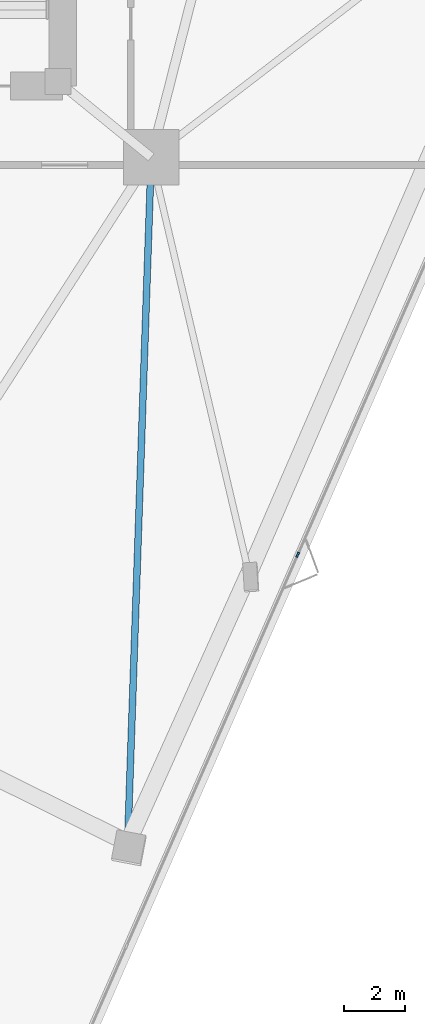
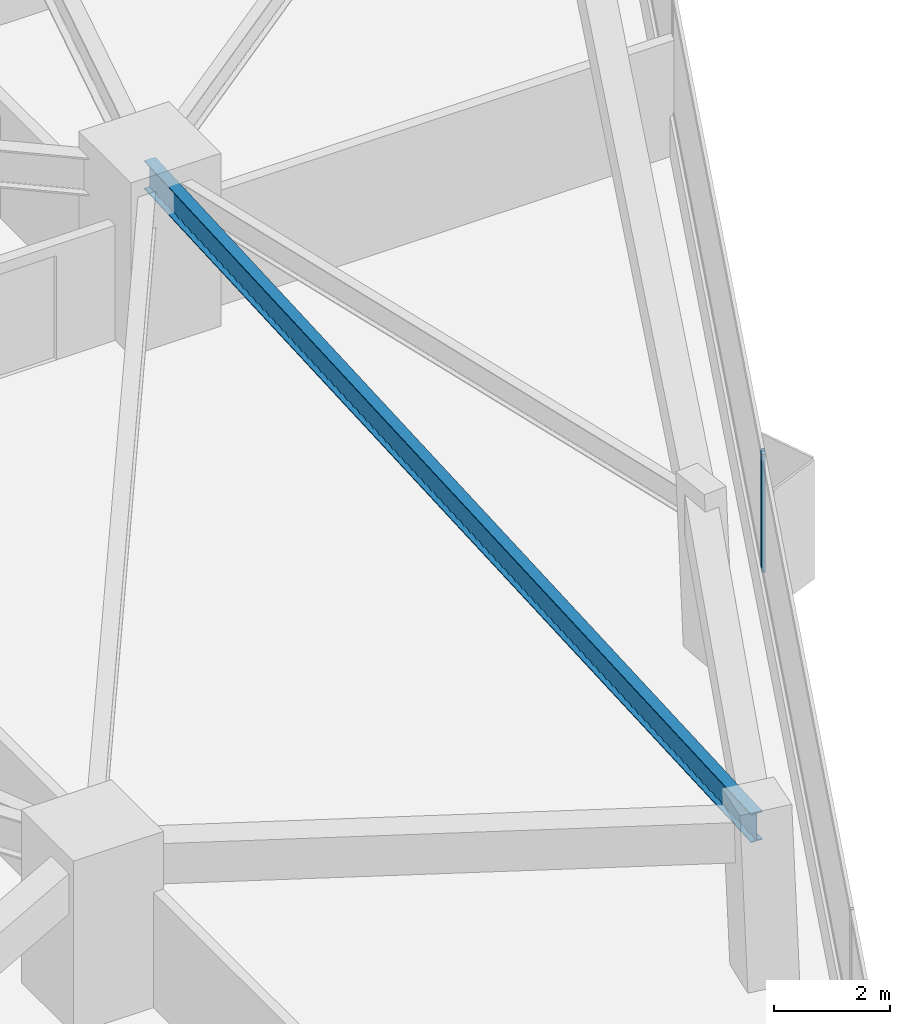
# One storey, part 5 of 20: 1 beam, 1 member, 1 element without a shape of its own.
"""IFC4 building model written with IfcOpenShell, lengths in metres."""

import ifcopenshell
import ifcopenshell.guid

model = None  # the IFC model being written
_history = None  # IfcOwnerHistory: only IFC2X3 demands one
_inside = {}  # id of a spatial element -> (the spatial element, [elements in it])
_under = {}  # id of a project, library or spatial element -> (it, [spatial elements below it])
_declared = {}  # id of a project -> (the project, [libraries it declares])
_typed = {}  # id of a type object -> (the type object, [elements of that type])
_made_of = {}  # id of a material, layer set ... -> (it, [elements and type objects made of it])


def new_model(schema):
    """Start an empty IFC model of exactly this schema.

    Asked for "IFC4X3", IfcOpenShell would pick the latest addendum, in which some entities
    have other attributes; the version numbers below select the first issue.
    IFC2X3 requires an IfcOwnerHistory on every rooted entity: one is made here for all.
    """
    global model, _history
    if schema == "IFC4X3":
        model = ifcopenshell.file(schema_version=(4, 3, 0, 0))
    else:
        model = ifcopenshell.file(schema=schema)
    _inside.clear()
    _under.clear()
    _declared.clear()
    _typed.clear()
    _made_of.clear()
    _history = None
    if model.schema == "IFC2X3":
        org = make("IfcOrganization", Name="unknown")
        user = make(
            "IfcPersonAndOrganization",
            ThePerson=make("IfcPerson", FamilyName="unknown"),
            TheOrganization=org,
        )
        app = make(
            "IfcApplication",
            ApplicationDeveloper=org,
            Version="unknown",
            ApplicationFullName="unknown",
            ApplicationIdentifier="unknown",
        )
        _history = make(
            "IfcOwnerHistory",
            OwningUser=user,
            OwningApplication=app,
            ChangeAction="ADDED",
            CreationDate=0,
        )
    return model


def make(cls, **values):
    """One entity of the class cls with the attributes given. An attribute that is None is left unset."""
    return model.create_entity(
        cls, **{name: value for name, value in values.items() if value is not None}
    )


def rooted(cls, **values):
    """An entity with a GlobalId (a new one), such as an element, a storey or a relation."""
    return make(cls, GlobalId=ifcopenshell.guid.new(), OwnerHistory=_history, **values)


def si_unit(unit_type, name, prefix=None):
    """IfcSIUnit, for example si_unit("LENGTHUNIT", "METRE", prefix="MILLI")."""
    return make("IfcSIUnit", UnitType=unit_type, Prefix=prefix, Name=name)


def assignment(units):
    """IfcUnitAssignment: the units of a project."""
    return None if units is None else make("IfcUnitAssignment", Units=units)


def point(xyz):
    """IfcCartesianPoint."""
    return None if xyz is None else make("IfcCartesianPoint", Coordinates=xyz)


def direction(xyz):
    """IfcDirection."""
    return None if xyz is None else make("IfcDirection", DirectionRatios=xyz)


def frame(location, z_axis=None, x_axis=None):
    """IfcAxis2Placement3D, a coordinate frame: its origin and axes. An axis left out is left unset."""
    return make(
        "IfcAxis2Placement3D",
        Location=point(location),
        Axis=direction(z_axis),
        RefDirection=direction(x_axis),
    )


def frame_2d(location, x_axis=None):
    """IfcAxis2Placement2D, a coordinate frame in the plane: its origin and x axis."""
    return make(
        "IfcAxis2Placement2D", Location=point(location), RefDirection=direction(x_axis)
    )


def origin():
    """The frame at (0, 0, 0) with its axes left unset."""
    return frame((0.0, 0.0, 0.0))


def origin_2d():
    """The frame at (0, 0) in the plane with its x axis left unset."""
    return frame_2d((0.0, 0.0))


def place(relative_to, where):
    """IfcLocalPlacement: puts the frame where relative to a parent placement (None: the world)."""
    return make(
        "IfcLocalPlacement", PlacementRelTo=relative_to, RelativePlacement=where
    )


def context(
    kind, dimensions, precision=None, world=None, true_north=None, identifier=None
):
    """IfcGeometricRepresentationContext, for example the 3D "Model" context."""
    return make(
        "IfcGeometricRepresentationContext",
        ContextIdentifier=identifier,
        ContextType=kind,
        CoordinateSpaceDimension=dimensions,
        Precision=precision,
        WorldCoordinateSystem=world,
        TrueNorth=true_north,
    )


def subcontext(parent, identifier, kind, view, scale=None):
    """IfcGeometricRepresentationSubContext, for example "Body" below "Model"."""
    return make(
        "IfcGeometricRepresentationSubContext",
        ContextIdentifier=identifier,
        ContextType=kind,
        ParentContext=parent,
        TargetScale=scale,
        TargetView=view,
    )


def project(units=None, contexts=None):
    """IfcProject with its units and contexts."""
    return rooted(
        "IfcProject",
        Name="project",
        RepresentationContexts=contexts,
        UnitsInContext=assignment(units),
    )


def spatial(cls, under=None, at=None, **own):
    """A site, building, storey or space (cls), placed at a placement, below another one or the project."""
    s = rooted(cls, ObjectPlacement=at, **own)
    if under is not None:
        _under.setdefault(under.id(), (under, []))[1].append(s)
    return s


def profile(cls, at=None, kind="AREA", **sizes):
    """A parametric profile (cls). Its sizes go by their IFC names, for example OverallWidth=200.0."""
    return make(cls, ProfileType=kind, Position=at, **sizes)


def rectangle(**sizes):
    """IfcRectangleProfileDef."""
    return profile("IfcRectangleProfileDef", **sizes)


def i_section(**sizes):
    """IfcIShapeProfileDef."""
    return profile("IfcIShapeProfileDef", **sizes)


def extrude(swept, where, along, depth):
    """IfcExtrudedAreaSolid: the profile swept, set in the frame where, extruded along a direction by depth."""
    return make(
        "IfcExtrudedAreaSolid",
        SweptArea=swept,
        Position=where,
        ExtrudedDirection=direction(along),
        Depth=depth,
    )


def shape(context_of_items, identifier, shape_type, items):
    """IfcShapeRepresentation: the items that make up one representation, for example the "Body"."""
    return make(
        "IfcShapeRepresentation",
        ContextOfItems=context_of_items,
        RepresentationIdentifier=identifier,
        RepresentationType=shape_type,
        Items=items,
    )


def material(Name=None, Category=None):
    """IfcMaterial."""
    return make("IfcMaterial", Name=Name, Category=Category)


def layer(
    of_material, thickness, ventilated=None, Name=None, Category=None, Priority=None
):
    """IfcMaterialLayer: one layer of a wall or slab, of a material (None: an air gap)."""
    return make(
        "IfcMaterialLayer",
        Material=of_material,
        LayerThickness=thickness,
        IsVentilated=ventilated,
        Name=Name,
        Category=Category,
        Priority=Priority,
    )


def layer_set(layers, Name=None):
    """IfcMaterialLayerSet."""
    return make("IfcMaterialLayerSet", MaterialLayers=layers, LayerSetName=Name)


def material_profile(
    of_material, cross_section, Name=None, Category=None, Priority=None
):
    """IfcMaterialProfile: a cross section and its material."""
    return make(
        "IfcMaterialProfile",
        Name=Name,
        Material=of_material,
        Profile=cross_section,
        Priority=Priority,
        Category=Category,
    )


def profile_set(profiles, Name=None, composite=None):
    """IfcMaterialProfileSet."""
    return make(
        "IfcMaterialProfileSet",
        Name=Name,
        MaterialProfiles=profiles,
        CompositeProfile=composite,
    )


def made_of(thing, what):
    """Note that an element or type object is made of a material, layer set ...; save() writes the relation."""
    if what is not None:
        _made_of.setdefault(what.id(), (what, []))[1].append(thing)
    return thing


def type_object(cls, material=None, **own):
    """A type object (cls), such as IfcWallType, which elements share."""
    return made_of(rooted(cls, **own), material)


def element(
    cls,
    number,
    at=None,
    inside=None,
    cuts=None,
    type_object=None,
    material=None,
    context=None,
    identifier="Body",
    shape_type=None,
    held_by="IfcProductDefinitionShape",
    body=None,
    shapes=None,
    **own,
):
    """One element of the class cls, such as IfcWall. Its Tag is "e" and its number.

    at: its placement. inside: the storey or other place that contains it. cuts: it is an
    opening in that element (IfcRelVoidsElement). A single representation is given by context,
    identifier, shape_type and body (its items); several are given by shapes. held_by: the class
    of the entity that holds the representations. save() writes the other relations.
    """
    e = rooted(cls, Tag="e%d" % number, ObjectPlacement=at, **own)
    if body is not None:
        shapes = [shape(context, identifier, shape_type, body)]
    if shapes is not None:
        e.Representation = make(held_by, Representations=shapes)
    if inside is not None:
        _inside.setdefault(inside.id(), (inside, []))[1].append(e)
    if cuts is not None:
        rooted(
            "IfcRelVoidsElement", RelatingBuildingElement=cuts, RelatedOpeningElement=e
        )
    if type_object is not None:
        _typed.setdefault(type_object.id(), (type_object, []))[1].append(e)
    return made_of(e, material)


def aggregate(whole, parts):
    """IfcRelAggregates: a whole, such as a stair, and the parts it consists of."""
    return rooted("IfcRelAggregates", RelatingObject=whole, RelatedObjects=parts)


def save(model, path):
    """Write the relations noted so far, then the file.

    IfcRelAggregates (storeys below a building ...), IfcRelContainedInSpatialStructure (elements
    in a storey), IfcRelDefinesByType, IfcRelAssociatesMaterial and IfcRelDeclares: one each for
    every whole, place, type object, material and project.
    """
    for whole, parts in _under.values():
        aggregate(whole, parts)
    for where, things in _inside.values():
        rooted(
            "IfcRelContainedInSpatialStructure",
            RelatedElements=things,
            RelatingStructure=where,
        )
    for kind, things in _typed.values():
        rooted("IfcRelDefinesByType", RelatedObjects=things, RelatingType=kind)
    for what, things in _made_of.values():
        rooted("IfcRelAssociatesMaterial", RelatedObjects=things, RelatingMaterial=what)
    for by, libraries in _declared.values():
        rooted("IfcRelDeclares", RelatingContext=by, RelatedDefinitions=libraries)
    model.write(path)


model = new_model("IFC4")

# Units and contexts
model_context = context("Model", 3, precision=1e-05, world=origin(), true_north=direction((0.0, 1.0)))
body_context = subcontext(model_context, "Body", "Model", "MODEL_VIEW")
ifc_project = project(units=[si_unit("LENGTHUNIT", "METRE"), si_unit("AREAUNIT", "SQUARE_METRE"), si_unit("VOLUMEUNIT", "CUBIC_METRE"), si_unit("PLANEANGLEUNIT", "RADIAN"), si_unit("MASSUNIT", "GRAM", prefix="KILO")], contexts=[model_context])

# Site, building, storey
site_placement = place(None, origin())
site = spatial("IfcSite", under=ifc_project, at=site_placement, CompositionType="ELEMENT")
building_placement = place(site_placement, origin())
building = spatial("IfcBuilding", under=site, at=building_placement, Name="Talyreon Biosciences Tower", CompositionType="ELEMENT")
storey_placement = place(building_placement, frame((0.0, 0.0, 62.949951171875)))
storey = spatial("IfcBuildingStorey", under=building, at=storey_placement, Name="L16", CompositionType="ELEMENT", Elevation=62.949951171875)

# Curtain wall, member
ifc_material_1 = material(Name="Thermally broken aluminium and low-E glazing", Category="aluminium")
ifc_layer = layer(ifc_material_1, 0.195068359375)
ifc_layer_set = layer_set([ifc_layer], Name="Thermally broken aluminium and low-E glazing")
curtain_wall_type = type_object("IfcCurtainWallType", Name="CurtainWall_Zone1WetLab", PredefinedType="NOTDEFINED", material=ifc_layer_set)
curtain_wall_placement = place(storey_placement, origin())
curtain_wall = element("IfcCurtainWall", 1, at=curtain_wall_placement, inside=storey, type_object=curtain_wall_type, Name="L16 Unitised Curtain Wall FCW-L16-08", PredefinedType="NOTDEFINED")
ifc_material_2 = material(Name="Anodised thermally broken aluminium", Category="aluminium")
ifc_material_profile_1 = material_profile(ifc_material_2, rectangle(XDim=0.06494140625, YDim=0.179931640625, at=origin_2d()), Name="ALUM MULLION 65x180")
ifc_profile_set_1 = profile_set([ifc_material_profile_1], Name="Anodised thermally broken aluminium")
member_type = type_object("IfcMemberType", Name="CWMullion_65x180", PredefinedType="MULLION", material=ifc_profile_set_1)
member_placement = place(storey_placement, frame((81.8564453125, 45.933837890625, 0.81005859375), z_axis=(0.0, 0.0, 1.0), x_axis=(0.916092182361, -0.400967721165, 0.0)))
member = element("IfcMember", 2, at=member_placement, type_object=member_type, Name="CW2 mullion 4", PredefinedType="MULLION", context=body_context, shape_type="SweptSolid", body=[
    extrude(rectangle(XDim=0.06494140625, YDim=0.179931640625, at=origin_2d()), origin(), (0.0, 0.0, 1.0), 2.489990234375),
])
aggregate(curtain_wall, [member])

# Beam
ifc_material_3 = material(Name="Steel SM355", Category="steel")
ifc_material_profile_2 = material_profile(ifc_material_3, i_section(OverallWidth=0.219970703125, OverallDepth=0.60009765625, WebThickness=0.011962890625, FlangeThickness=0.01904296875, FilletRadius=0.02392578125, at=origin_2d()), Name="IPE600")
ifc_profile_set_2 = profile_set([ifc_material_profile_2], Name="Steel SM355")
beam_type = type_object("IfcBeamType", Name="SteelJoist_IPE600", PredefinedType="JOIST", material=ifc_profile_set_2)
beam_placement = place(storey_placement, frame((77.086181640625, 58.88037109375, 3.0), z_axis=(-0.034318854067, -0.999410934629, 0.0), x_axis=(0.999410934629, -0.034318854067, 0.0)))
element("IfcBeam", 3, at=beam_placement, inside=storey, type_object=beam_type, Name="L16 Radial Composite Floor Joist PC-SE1", PredefinedType="JOIST", context=body_context, shape_type="SweptSolid", body=[
    extrude(i_section(OverallWidth=0.219970703125, OverallDepth=0.60009765625, WebThickness=0.011962890625, FlangeThickness=0.01904296875, FilletRadius=0.02392578125, at=origin_2d()), origin(), (0.0, 0.0, 1.0), 22.337646484375),
])

save(model, "model.ifc")
